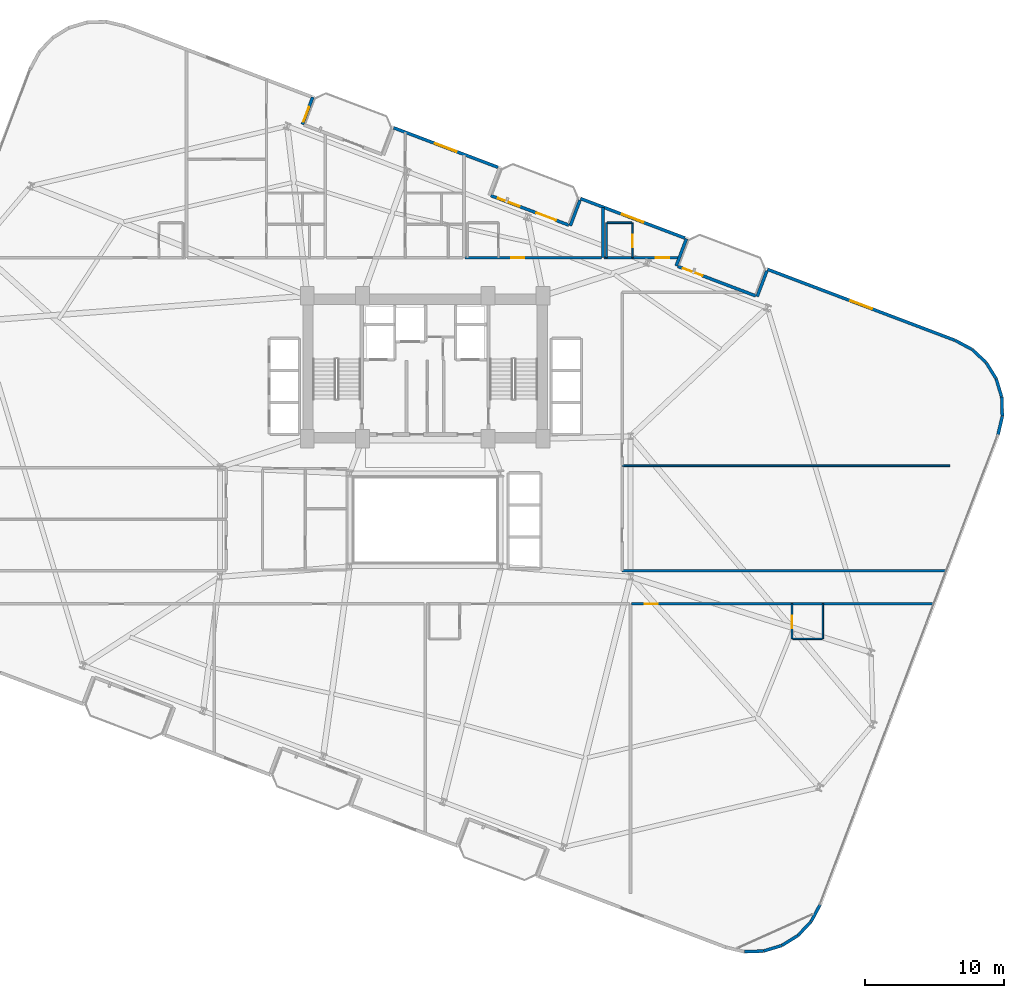
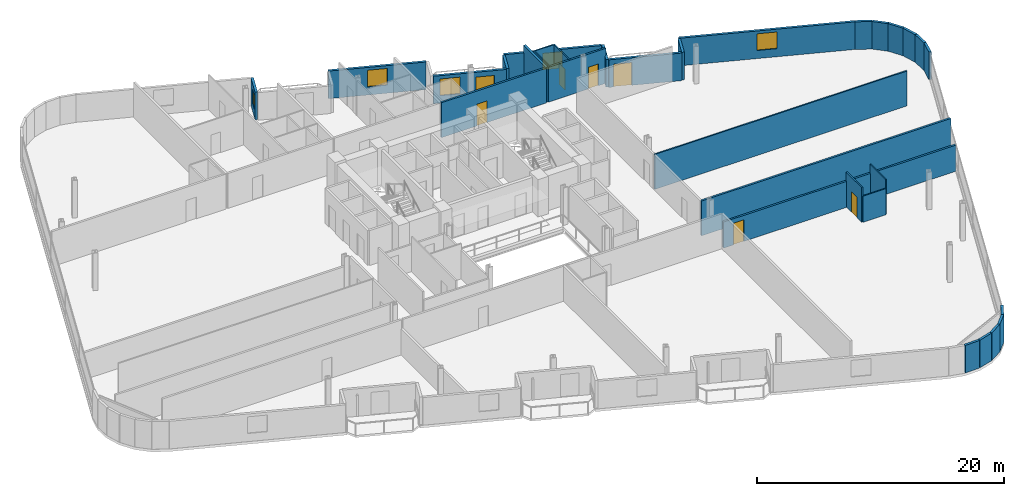
# One storey, part 21 of 25: 32 walls, 7 doors, 5 windows, 12 openings.
"""IFC4 building model written with IfcOpenShell, lengths in metres."""

from ifc_helpers import new_model, si_unit, direction, frame, frame_2d, origin, place, context, subcontext, project, spatial, rectangle, extrude, material, layer, layer_set, type_object, element, fill, save


model = new_model("IFC4")

# Units and contexts
model_context = context("Model", 3, precision=1e-05, world=origin(), true_north=direction((0.0, 1.0)))
body_context = subcontext(model_context, "Body", "Model", "MODEL_VIEW")
ifc_project = project(units=[si_unit("LENGTHUNIT", "METRE"), si_unit("AREAUNIT", "SQUARE_METRE"), si_unit("VOLUMEUNIT", "CUBIC_METRE"), si_unit("PLANEANGLEUNIT", "RADIAN"), si_unit("MASSUNIT", "GRAM", prefix="KILO")], contexts=[model_context])

# Site, building, storey
site_placement = place(None, origin())
site = spatial("IfcSite", under=ifc_project, at=site_placement, CompositionType="ELEMENT")
building_placement = place(site_placement, origin())
building = spatial("IfcBuilding", under=site, at=building_placement, Name="Varnelok Gate Tower", CompositionType="ELEMENT")
storey_placement = place(building_placement, frame((0.0, 0.0, 105.800048828125)))
storey = spatial("IfcBuildingStorey", under=building, at=storey_placement, Name="L26", CompositionType="ELEMENT", Elevation=105.800048828125)

# Wall, openings, door, window
ifc_material_1 = material(Name="Concrete C45/55", Category="concrete")
ifc_layer_1 = layer(ifc_material_1, 0.219970703125)
ifc_layer_set_1 = layer_set([ifc_layer_1], Name="Concrete C45/55")
wall_type_1 = type_object("IfcWallType", Name="EW-BALC-220", PredefinedType="SOLIDWALL", material=ifc_layer_set_1)
wall_1_placement = place(storey_placement, frame((43.932373046875, 46.273193359375, 0.0), z_axis=(0.0, 0.0, 1.0), x_axis=(0.93521416643, -0.354082565101, 0.0)))
wall_1 = element("IfcWall", 1, at=wall_1_placement, inside=storey, type_object=wall_type_1, Name="L26 North Terrace Envelope Wall 5", PredefinedType="SOLIDWALL", context=body_context, shape_type="SweptSolid", body=[
    extrude(rectangle(XDim=6.0, YDim=0.219970703125, at=frame_2d((3.0, 0.0))), origin(), (0.0, 0.0, 1.0), 2.72998046875),
])
opening_1_placement = place(wall_1_placement, frame((3.508056640625, 0.0, 0.0)))
opening_1 = element("IfcOpeningElement", 2, at=opening_1_placement, cuts=wall_1, Name="Opening BD-1", PredefinedType="OPENING", context=body_context, shape_type="SweptSolid", body=[
    extrude(rectangle(XDim=1.5, YDim=2.25, at=frame_2d((0.75, 1.125))), frame((0.0, 0.119873046875, 0.0), z_axis=(0.0, -1.0, 0.0), x_axis=(1.0, 0.0, 0.0)), (0.0, 0.0, 1.0), 0.239990234375),
])
opening_2_placement = place(wall_1_placement, frame((0.550048828125, 0.0, 0.75)))
opening_2 = element("IfcOpeningElement", 3, at=opening_2_placement, cuts=wall_1, Name="Opening WN3", PredefinedType="OPENING", context=body_context, shape_type="SweptSolid", body=[
    extrude(rectangle(XDim=1.64990234375, YDim=1.64990234375, at=frame_2d((0.824951171875, 0.824951171875))), frame((0.0, 0.119873046875, 0.0), z_axis=(0.0, -1.0, 0.0), x_axis=(1.0, 0.0, 0.0)), (0.0, 0.0, 1.0), 0.239990234375),
])
ifc_material_2 = material(Name="Anodized Aluminum Alloy 6063-T6", Category="aluminium")
door_type_1 = type_object("IfcDoorType", Name="DR-EXT-BALC1500", OperationType="NOTDEFINED", PredefinedType="DOOR", material=ifc_material_2)
door_1_placement = place(opening_1_placement, origin())
door_1 = element("IfcDoor", 4, at=door_1_placement, inside=storey, type_object=door_type_1, Name="L26 North Balcony Glazed Door 5", OperationType="SINGLE_SWING_RIGHT", OverallHeight=2.25, OverallWidth=1.5, PredefinedType="DOOR", context=body_context, shape_type="SweptSolid", body=[
    extrude(rectangle(XDim=1.5, YDim=2.25, at=frame_2d((0.75, 1.125))), frame((0.0, 0.02490234375, 0.0), z_axis=(0.0, -1.0, 0.0), x_axis=(1.0, 0.0, 0.0)), (0.0, 0.0, 1.0), 0.050048828125),
])
fill(opening_1, door_1)
ifc_material_3 = material(Name="Low-E Laminated Double Glazing IGU", Category="glass")
window_type_1 = type_object("IfcWindowType", Name="WN-HTL-1650", PartitioningType="SINGLE_PANEL", PredefinedType="WINDOW", material=ifc_material_3)
window_1_placement = place(opening_2_placement, origin())
window_1 = element("IfcWindow", 5, at=window_1_placement, inside=storey, type_object=window_type_1, Name="L26 North Vision Window 5.1", OverallHeight=1.64990234375, OverallWidth=1.64990234375, PartitioningType="SINGLE_PANEL", PredefinedType="WINDOW", context=body_context, shape_type="SweptSolid", body=[
    extrude(rectangle(XDim=1.64990234375, YDim=1.64990234375, at=frame_2d((0.824951171875, 0.824951171875))), frame((0.0, 0.030029296875, 0.0), z_axis=(0.0, -1.0, 0.0), x_axis=(1.0, 0.0, 0.0)), (0.0, 0.0, 1.0), 0.06005859375),
])
fill(opening_2, window_1)

# Wall, opening, door
wall_2_placement = place(storey_placement, frame((57.3994140625, 41.174560546875, 0.0), z_axis=(0.0, 0.0, 1.0), x_axis=(0.935227640088, -0.354046976001, 0.0)))
wall_2 = element("IfcWall", 6, at=wall_2_placement, inside=storey, type_object=wall_type_1, Name="L26 North Terrace Envelope Wall 6", PredefinedType="SOLIDWALL", context=body_context, shape_type="SweptSolid", body=[
    extrude(rectangle(XDim=6.0, YDim=0.219970703125, at=frame_2d((3.0, 0.0))), origin(), (0.0, 0.0, 1.0), 2.72998046875),
])
opening_3_placement = place(wall_2_placement, frame((0.39990234375, 0.0, 0.0)))
opening_3 = element("IfcOpeningElement", 7, at=opening_3_placement, cuts=wall_2, Name="Opening BD-1", PredefinedType="OPENING", context=body_context, shape_type="SweptSolid", body=[
    extrude(rectangle(XDim=1.5, YDim=2.25, at=frame_2d((0.75, 1.125))), frame((0.0, 0.119873046875, 0.0), z_axis=(0.0, -1.0, 0.0), x_axis=(1.0, 0.0, 0.0)), (0.0, 0.0, 1.0), 0.239990234375),
])
door_2_placement = place(opening_3_placement, origin())
door_2 = element("IfcDoor", 8, at=door_2_placement, inside=storey, type_object=door_type_1, Name="L26 North Balcony Glazed Door 6", OperationType="SINGLE_SWING_LEFT", OverallHeight=2.25, OverallWidth=1.5, PredefinedType="DOOR", context=body_context, shape_type="SweptSolid", body=[
    extrude(rectangle(XDim=1.5, YDim=2.25, at=frame_2d((0.75, 1.125))), frame((0.0, 0.02490234375, 0.0), z_axis=(0.0, -1.0, 0.0), x_axis=(1.0, 0.0, 0.0)), (0.0, 0.0, 1.0), 0.050048828125),
])
fill(opening_3, door_2)

# Walls
wall_3_placement = place(storey_placement, frame((62.2158203125, -8.209228515625, 0.0), z_axis=(0.0, 0.0, 1.0), x_axis=(0.999523971993, 0.03085173271, 0.0)))
element("IfcWall", 9, at=wall_3_placement, inside=storey, type_object=wall_type_1, Name="L26 Perimeter Facade Closure Wall 18", PredefinedType="SOLIDWALL", context=body_context, shape_type="SweptSolid", body=[
    extrude(rectangle(XDim=1.353271484375, YDim=0.219970703125, at=frame_2d((0.6767578125, 0.0))), origin(), (0.0, 0.0, 1.0), 2.72998046875),
])
for number, where, z_axis, x_axis, name in (
    (10, (63.59228515625, -8.160400390625, 0.0), (0.0, 0.0, 1.0), (0.957532798303, 0.28832436625, 0.0), "L26 Perimeter Facade Closure Wall 19"),
    (11, (64.9091796875, -7.757080078125, 0.0), (0.0, 0.0, 1.0), (0.850180541217, 0.526491260456, 0.0), "L26 Perimeter Facade Closure Wall 20"),
):
    element("IfcWall", number, at=place(storey_placement, frame(where, z_axis=z_axis, x_axis=x_axis)), inside=storey, type_object=wall_type_1, Name=name, PredefinedType="SOLIDWALL", context=body_context, shape_type="SweptSolid", body=[
        extrude(rectangle(XDim=1.35302734375, YDim=0.219970703125, at=frame_2d((0.676513671875, 0.0))), origin(), (0.0, 0.0, 1.0), 2.72998046875),
    ])
wall_4_placement = place(storey_placement, frame((66.07666015625, -7.026611328125, 0.0), z_axis=(0.0, 0.0, 1.0), x_axis=(0.685032599484, 0.7285124142, 0.0)))
element("IfcWall", 12, at=wall_4_placement, inside=storey, type_object=wall_type_1, Name="L26 Perimeter Facade Closure Wall 21", PredefinedType="SOLIDWALL", context=body_context, shape_type="SweptSolid", body=[
    extrude(rectangle(XDim=1.353271484375, YDim=0.219970703125, at=frame_2d((0.6767578125, 0.0))), origin(), (0.0, 0.0, 1.0), 2.72998046875),
])
wall_5_placement = place(storey_placement, frame((67.015380859375, -6.018798828125, 0.0), z_axis=(0.0, 0.0, 1.0), x_axis=(0.473077364598, 0.881020889142, 0.0)))
element("IfcWall", 13, at=wall_5_placement, inside=storey, type_object=wall_type_1, Name="L26 Perimeter Facade Closure Wall 22", PredefinedType="SOLIDWALL", context=body_context, shape_type="SweptSolid", body=[
    extrude(rectangle(XDim=1.35302734375, YDim=0.219970703125, at=frame_2d((0.676513671875, 0.0))), origin(), (0.0, 0.0, 1.0), 2.72998046875),
])
wall_6_placement = place(storey_placement, frame((80.47265625, 29.0283203125, 0.0), z_axis=(0.0, 0.0, 1.0), x_axis=(0.228881345311, 0.973454328548, 0.0)))
element("IfcWall", 14, at=wall_6_placement, inside=storey, type_object=wall_type_1, Name="L26 Perimeter Facade Closure Wall 23", PredefinedType="SOLIDWALL", context=body_context, shape_type="SweptSolid", body=[
    extrude(rectangle(XDim=1.378173828125, YDim=0.219970703125, at=frame_2d((0.68896484375, 0.0))), origin(), (0.0, 0.0, 1.0), 2.72998046875),
])
for number, where, z_axis, x_axis, name in (
    (15, (80.787353515625, 30.39501953125, 0.0), (0.0, 0.0, 1.0), (-0.030857297317, 0.999523800218, 0.0), "L26 Perimeter Facade Closure Wall 24"),
    (16, (80.738525390625, 31.771240234375, 0.0), (0.0, 0.0, 1.0), (-0.28832436625, 0.957532798303, 0.0), "L26 Perimeter Facade Closure Wall 25"),
    (17, (80.335205078125, 33.088134765625, 0.0), (0.0, 0.0, 1.0), (-0.526491260456, 0.850180541217, 0.0), "L26 Perimeter Facade Closure Wall 26"),
    (18, (79.6044921875, 34.255615234375, 0.0), (0.0, 0.0, 1.0), (-0.72842773461, 0.685122642634, 0.0), "L26 Perimeter Facade Closure Wall 27"),
):
    element("IfcWall", number, at=place(storey_placement, frame(where, z_axis=z_axis, x_axis=x_axis)), inside=storey, type_object=wall_type_1, Name=name, PredefinedType="SOLIDWALL", context=body_context, shape_type="SweptSolid", body=[
        extrude(rectangle(XDim=1.35302734375, YDim=0.219970703125, at=frame_2d((0.676513671875, 0.0))), origin(), (0.0, 0.0, 1.0), 2.72998046875),
    ])
wall_7_placement = place(storey_placement, frame((78.5966796875, 35.1943359375, 0.0), z_axis=(0.0, 0.0, 1.0), x_axis=(-0.880948732004, 0.473211719614, 0.0)))
element("IfcWall", 19, at=wall_7_placement, inside=storey, type_object=wall_type_1, Name="L26 Perimeter Facade Closure Wall 28", PredefinedType="SOLIDWALL", context=body_context, shape_type="SweptSolid", body=[
    extrude(rectangle(XDim=1.361083984375, YDim=0.219970703125, at=frame_2d((0.6806640625, 0.0))), origin(), (0.0, 0.0, 1.0), 2.72998046875),
])

# Wall, opening, window
wall_8_placement = place(storey_placement, frame((77.37451171875, 35.84716796875, 0.0), z_axis=(0.0, 0.0, 1.0), x_axis=(-0.935222448475, 0.354060689526, 0.0)))
wall_8 = element("IfcWall", 20, at=wall_8_placement, inside=storey, type_object=wall_type_1, Name="L26 Perimeter Facade Closure Wall 29", PredefinedType="SOLIDWALL", context=body_context, shape_type="SweptSolid", body=[
    extrude(rectangle(XDim=14.447265625, YDim=0.219970703125, at=frame_2d((7.2236328125, 0.0))), origin(), (0.0, 0.0, 1.0), 2.72998046875),
])
opening_4_placement = place(wall_8_placement, frame((6.398681640625, 0.0, 0.800048828125)))
opening_4 = element("IfcOpeningElement", 21, at=opening_4_placement, cuts=wall_8, Name="Opening WN3", PredefinedType="OPENING", context=body_context, shape_type="SweptSolid", body=[
    extrude(rectangle(XDim=1.64990234375, YDim=1.64990234375, at=frame_2d((0.824951171875, 0.824951171875))), frame((0.0, 0.119873046875, 0.0), z_axis=(0.0, -1.0, 0.0), x_axis=(1.0, 0.0, 0.0)), (0.0, 0.0, 1.0), 0.239990234375),
])
window_2_placement = place(opening_4_placement, origin())
window_2 = element("IfcWindow", 22, at=window_2_placement, inside=storey, type_object=window_type_1, Name="L26 Perimeter Vision Window 29", OverallHeight=1.64990234375, OverallWidth=1.64990234375, PartitioningType="SINGLE_PANEL", PredefinedType="WINDOW", context=body_context, shape_type="SweptSolid", body=[
    extrude(rectangle(XDim=1.64990234375, YDim=1.64990234375, at=frame_2d((0.824951171875, 0.824951171875))), frame((0.0, 0.030029296875, 0.0), z_axis=(0.0, -1.0, 0.0), x_axis=(1.0, 0.0, 0.0)), (0.0, 0.0, 1.0), 0.06005859375),
])
fill(opening_4, window_2)

# Walls
wall_9_placement = place(storey_placement, frame((63.81884765625, 40.845458984375, 0.0), z_axis=(0.0, 0.0, 1.0), x_axis=(-0.354128791944, -0.935196663123, 0.0)))
element("IfcWall", 23, at=wall_9_placement, inside=storey, type_object=wall_type_1, Name="L26 Perimeter Facade Closure Wall 30", PredefinedType="SOLIDWALL", context=body_context, shape_type="SweptSolid", body=[
    extrude(rectangle(XDim=1.97509765625, YDim=0.219970703125, at=frame_2d((0.987548828125, 0.0))), origin(), (0.0, 0.0, 1.0), 2.72998046875),
])
wall_10_placement = place(storey_placement, frame((57.28369140625, 41.207763671875, 0.0), z_axis=(0.0, 0.0, 1.0), x_axis=(0.354128469405, 0.935196785258, 0.0)))
element("IfcWall", 24, at=wall_10_placement, inside=storey, type_object=wall_type_1, Name="L26 Perimeter Facade Closure Wall 31", PredefinedType="SOLIDWALL", context=body_context, shape_type="SweptSolid", body=[
    extrude(rectangle(XDim=2.099853515625, YDim=0.219970703125, at=frame_2d((1.0498046875, 0.0))), origin(), (0.0, 0.0, 1.0), 2.72998046875),
])

# Wall, opening, window
wall_11_placement = place(storey_placement, frame((57.910400390625, 43.2158203125, 0.0), z_axis=(0.0, 0.0, 1.0), x_axis=(-0.935220736163, 0.354065212427, 0.0)))
wall_11 = element("IfcWall", 25, at=wall_11_placement, inside=storey, type_object=wall_type_1, Name="L26 Perimeter Facade Closure Wall 32", PredefinedType="SOLIDWALL", context=body_context, shape_type="SweptSolid", body=[
    extrude(rectangle(XDim=8.03515625, YDim=0.219970703125, at=frame_2d((4.017578125, 0.0))), origin(), (0.0, 0.0, 1.0), 2.72998046875),
])
opening_5_placement = place(wall_11_placement, frame((3.1923828125, 0.0, 0.800048828125)))
opening_5 = element("IfcOpeningElement", 26, at=opening_5_placement, cuts=wall_11, Name="Opening WN3", PredefinedType="OPENING", context=body_context, shape_type="SweptSolid", body=[
    extrude(rectangle(XDim=1.64990234375, YDim=1.64990234375, at=frame_2d((0.824951171875, 0.824951171875))), frame((0.0, 0.119873046875, 0.0), z_axis=(0.0, -1.0, 0.0), x_axis=(1.0, 0.0, 0.0)), (0.0, 0.0, 1.0), 0.239990234375),
])
window_3_placement = place(opening_5_placement, origin())
window_3 = element("IfcWindow", 27, at=window_3_placement, inside=storey, type_object=window_type_1, Name="L26 Perimeter Vision Window 32", OverallHeight=1.64990234375, OverallWidth=1.64990234375, PartitioningType="SINGLE_PANEL", PredefinedType="WINDOW", context=body_context, shape_type="SweptSolid", body=[
    extrude(rectangle(XDim=1.64990234375, YDim=1.64990234375, at=frame_2d((0.824951171875, 0.824951171875))), frame((0.0, 0.030029296875, 0.0), z_axis=(0.0, -1.0, 0.0), x_axis=(1.0, 0.0, 0.0)), (0.0, 0.0, 1.0), 0.06005859375),
])
fill(opening_5, window_3)

# Wall
wall_12_placement = place(storey_placement, frame((50.3515625, 45.94384765625, 0.0), z_axis=(0.0, 0.0, 1.0), x_axis=(-0.354061611705, -0.935222099352, 0.0)))
element("IfcWall", 28, at=wall_12_placement, inside=storey, type_object=wall_type_1, Name="L26 Perimeter Facade Closure Wall 33", PredefinedType="SOLIDWALL", context=body_context, shape_type="SweptSolid", body=[
    extrude(rectangle(XDim=1.974853515625, YDim=0.219970703125, at=frame_2d((0.9873046875, 0.0))), origin(), (0.0, 0.0, 1.0), 2.72998046875),
])

# Wall, opening, window
wall_13_placement = place(storey_placement, frame((44.443115234375, 48.314453125, 0.0), z_axis=(0.0, 0.0, 1.0), x_axis=(-0.935226988293, 0.354048697735, 0.0)))
wall_13 = element("IfcWall", 29, at=wall_13_placement, inside=storey, type_object=wall_type_1, Name="L26 Perimeter Facade Closure Wall 35", PredefinedType="SOLIDWALL", context=body_context, shape_type="SweptSolid", body=[
    extrude(rectangle(XDim=8.034912109375, YDim=0.219970703125, at=frame_2d((4.017578125, 0.0))), origin(), (0.0, 0.0, 1.0), 2.72998046875),
])
opening_6_placement = place(wall_13_placement, frame((3.1923828125, 0.0, 0.800048828125)))
opening_6 = element("IfcOpeningElement", 30, at=opening_6_placement, cuts=wall_13, Name="Opening WN3", PredefinedType="OPENING", context=body_context, shape_type="SweptSolid", body=[
    extrude(rectangle(XDim=1.64990234375, YDim=1.64990234375, at=frame_2d((0.824951171875, 0.824951171875))), frame((0.0, 0.119873046875, 0.0), z_axis=(0.0, -1.0, 0.0), x_axis=(1.0, 0.0, 0.0)), (0.0, 0.0, 1.0), 0.239990234375),
])
window_4_placement = place(opening_6_placement, origin())
window_4 = element("IfcWindow", 31, at=window_4_placement, inside=storey, type_object=window_type_1, Name="L26 Perimeter Vision Window 35", OverallHeight=1.64990234375, OverallWidth=1.64990234375, PartitioningType="SINGLE_PANEL", PredefinedType="WINDOW", context=body_context, shape_type="SweptSolid", body=[
    extrude(rectangle(XDim=1.64990234375, YDim=1.64990234375, at=frame_2d((0.824951171875, 0.824951171875))), frame((0.0, 0.030029296875, 0.0), z_axis=(0.0, -1.0, 0.0), x_axis=(1.0, 0.0, 0.0)), (0.0, 0.0, 1.0), 0.06005859375),
])
fill(opening_6, window_4)

wall_14_placement = place(storey_placement, frame((30.349365234375, 51.40478515625, 0.0), z_axis=(0.0, 0.0, 1.0), x_axis=(0.354128469405, 0.935196785258, 0.0)))
wall_14 = element("IfcWall", 32, at=wall_14_placement, inside=storey, type_object=wall_type_1, Name="L26 Perimeter Facade Closure Wall 37", PredefinedType="SOLIDWALL", context=body_context, shape_type="SweptSolid", body=[
    extrude(rectangle(XDim=2.099853515625, YDim=0.219970703125, at=frame_2d((1.0498046875, 0.0))), origin(), (0.0, 0.0, 1.0), 2.72998046875),
])
opening_7_placement = place(wall_14_placement, frame((0.199951171875, 0.0, 0.800048828125)))
opening_7 = element("IfcOpeningElement", 33, at=opening_7_placement, cuts=wall_14, Name="Opening WN8", PredefinedType="OPENING", context=body_context, shape_type="SweptSolid", body=[
    extrude(rectangle(XDim=1.14990234375, YDim=1.39990234375, at=frame_2d((0.574951171875, 0.699951171875))), frame((0.0, 0.119873046875, 0.0), z_axis=(0.0, -1.0, 0.0), x_axis=(1.0, 0.0, 0.0)), (0.0, 0.0, 1.0), 0.239990234375),
])
window_type_2 = type_object("IfcWindowType", Name="WN-BED-1150", PartitioningType="SINGLE_PANEL", PredefinedType="WINDOW", material=ifc_material_3)
window_5_placement = place(opening_7_placement, origin())
window_5 = element("IfcWindow", 34, at=window_5_placement, inside=storey, type_object=window_type_2, Name="L26 Bedroom Vision Window 12", OverallHeight=1.39990234375, OverallWidth=1.14990234375, PartitioningType="SINGLE_PANEL", PredefinedType="WINDOW", context=body_context, shape_type="SweptSolid", body=[
    extrude(rectangle(XDim=1.14990234375, YDim=1.39990234375, at=frame_2d((0.574951171875, 0.699951171875))), frame((0.0, 0.030029296875, 0.0), z_axis=(0.0, -1.0, 0.0), x_axis=(1.0, 0.0, 0.0)), (0.0, 0.0, 1.0), 0.06005859375),
])
fill(opening_7, window_5)

# Wall, opening, door
ifc_material_4 = material(Name="Gypsum Plasterboard Acoustic Partition", Category="gypsum")
ifc_layer_2 = layer(ifc_material_4, 0.179931640625)
ifc_layer_set_2 = layer_set([ifc_layer_2], Name="Gypsum Plasterboard Acoustic Partition")
wall_type_2 = type_object("IfcWallType", Name="PW-CORR-180", PredefinedType="PARTITIONING", material=ifc_layer_set_2)
wall_15_placement = place(storey_placement, frame((54.080078125, 16.85009765625, 0.0), z_axis=(0.0, 0.0, 1.0), x_axis=(1.0, 0.0, 0.0)))
wall_15 = element("IfcWall", 35, at=wall_15_placement, inside=storey, type_object=wall_type_2, Name="Interior Partition", PredefinedType="PARTITIONING", context=body_context, shape_type="SweptSolid", body=[
    extrude(rectangle(XDim=21.7216796875, YDim=0.179931640625, at=frame_2d((10.86083984375, 0.0))), origin(), (0.0, 0.0, 1.0), 2.579833984375),
])
opening_8_placement = place(wall_15_placement, frame((0.934326171875, 0.0, 0.0)))
opening_8 = element("IfcOpeningElement", 36, at=opening_8_placement, cuts=wall_15, Name="Opening D-HT", PredefinedType="OPENING", context=body_context, shape_type="SweptSolid", body=[
    extrude(rectangle(XDim=0.949951171875, YDim=2.14990234375, at=frame_2d((0.47509765625, 1.074951171875))), frame((0.0, 0.099853515625, 0.0), z_axis=(0.0, -1.0, 0.0), x_axis=(1.0, 0.0, 0.0)), (0.0, 0.0, 1.0), 0.199951171875),
])
ifc_material_5 = material(Name="Engineered Hardwood Timber", Category="wood")
door_type_2 = type_object("IfcDoorType", Name="DR-HTL-950", OperationType="NOTDEFINED", PredefinedType="DOOR", material=ifc_material_5)
door_3_placement = place(opening_8_placement, origin())
door_3 = element("IfcDoor", 37, at=door_3_placement, inside=storey, type_object=door_type_2, Name="L26 Guest Room 04 Entrance Door", OperationType="SINGLE_SWING_LEFT", OverallHeight=2.14990234375, OverallWidth=0.949951171875, PredefinedType="DOOR", context=body_context, shape_type="SweptSolid", body=[
    extrude(rectangle(XDim=0.949951171875, YDim=2.14990234375, at=frame_2d((0.47509765625, 1.074951171875))), frame((0.0, 0.02490234375, 0.0), z_axis=(0.0, -1.0, 0.0), x_axis=(1.0, 0.0, 0.0)), (0.0, 0.0, 1.0), 0.050048828125),
])
fill(opening_8, door_3)

wall_16_placement = place(storey_placement, frame((42.080078125, 41.800048828125, 0.0), z_axis=(0.0, 0.0, 1.0), x_axis=(1.0, 0.0, 0.0)))
wall_16 = element("IfcWall", 38, at=wall_16_placement, inside=storey, type_object=wall_type_2, Name="Interior Partition", PredefinedType="PARTITIONING", context=body_context, shape_type="SweptSolid", body=[
    extrude(rectangle(XDim=9.83984375, YDim=0.179931640625, at=frame_2d((4.919921875, 0.0))), origin(), (0.0, 0.0, 1.0), 3.449951171875),
])
opening_9_placement = place(wall_16_placement, frame((3.322998046875, 0.0, 0.0)))
opening_9 = element("IfcOpeningElement", 39, at=opening_9_placement, cuts=wall_16, Name="Opening D-HT", PredefinedType="OPENING", context=body_context, shape_type="SweptSolid", body=[
    extrude(rectangle(XDim=0.949951171875, YDim=2.14990234375, at=frame_2d((0.47509765625, 1.074951171875))), frame((0.0, 0.099853515625, 0.0), z_axis=(0.0, -1.0, 0.0), x_axis=(1.0, 0.0, 0.0)), (0.0, 0.0, 1.0), 0.199951171875),
])
door_4_placement = place(opening_9_placement, origin())
door_4 = element("IfcDoor", 40, at=door_4_placement, inside=storey, type_object=door_type_2, Name="L26 Guest Room 08 Entrance Door", OperationType="SINGLE_SWING_LEFT", OverallHeight=2.14990234375, OverallWidth=0.949951171875, PredefinedType="DOOR", context=body_context, shape_type="SweptSolid", body=[
    extrude(rectangle(XDim=0.949951171875, YDim=2.14990234375, at=frame_2d((0.47509765625, 1.074951171875))), frame((0.0, 0.02490234375, 0.0), z_axis=(0.0, -1.0, 0.0), x_axis=(1.0, 0.0, 0.0)), (0.0, 0.0, 1.0), 0.050048828125),
])
fill(opening_9, door_4)

wall_17_placement = place(storey_placement, frame((52.080078125, 41.800048828125, 0.0), z_axis=(0.0, 0.0, 1.0), x_axis=(1.0, 0.0, 0.0)))
wall_17 = element("IfcWall", 41, at=wall_17_placement, inside=storey, type_object=wall_type_2, Name="Interior Partition", PredefinedType="PARTITIONING", context=body_context, shape_type="SweptSolid", body=[
    extrude(rectangle(XDim=5.406494140625, YDim=0.179931640625, at=frame_2d((2.703125, 0.0))), origin(), (0.0, 0.0, 1.0), 3.449951171875),
])
opening_10_placement = place(wall_17_placement, frame((3.739501953125, 0.0, 0.0)))
opening_10 = element("IfcOpeningElement", 42, at=opening_10_placement, cuts=wall_17, Name="Opening D-HT", PredefinedType="OPENING", context=body_context, shape_type="SweptSolid", body=[
    extrude(rectangle(XDim=0.949951171875, YDim=2.14990234375, at=frame_2d((0.47509765625, 1.074951171875))), frame((0.0, 0.099853515625, 0.0), z_axis=(0.0, -1.0, 0.0), x_axis=(1.0, 0.0, 0.0)), (0.0, 0.0, 1.0), 0.199951171875),
])
door_5_placement = place(opening_10_placement, origin())
door_5 = element("IfcDoor", 43, at=door_5_placement, inside=storey, type_object=door_type_2, Name="L26 Guest Room 09 Entrance Door", OperationType="SINGLE_SWING_RIGHT", OverallHeight=2.14990234375, OverallWidth=0.949951171875, PredefinedType="DOOR", context=body_context, shape_type="SweptSolid", body=[
    extrude(rectangle(XDim=0.949951171875, YDim=2.14990234375, at=frame_2d((0.47509765625, 1.074951171875))), frame((0.0, 0.02490234375, 0.0), z_axis=(0.0, -1.0, 0.0), x_axis=(1.0, 0.0, 0.0)), (0.0, 0.0, 1.0), 0.050048828125),
])
fill(opening_10, door_5)

# Walls
wall_18_placement = place(storey_placement, frame((53.389892578125, 19.239990234375, 0.0), z_axis=(0.0, 0.0, 1.0), x_axis=(1.0, 0.0, 0.0)))
element("IfcWall", 44, at=wall_18_placement, inside=storey, type_object=wall_type_2, Name="Interior Partition", PredefinedType="PARTITIONING", context=body_context, shape_type="SweptSolid", body=[
    extrude(rectangle(XDim=23.316650390625, YDim=0.179931640625, at=frame_2d((11.658203125, 0.0))), origin(), (0.0, 0.0, 1.0), 3.449951171875),
])
ifc_layer_3 = layer(ifc_material_4, 0.114990234375)
ifc_layer_set_3 = layer_set([ifc_layer_3], Name="Gypsum Plasterboard Acoustic Partition")
wall_type_3 = type_object("IfcWallType", Name="PW-ENS-125", PredefinedType="PARTITIONING", material=ifc_layer_set_3)
wall_19_placement = place(storey_placement, frame((65.669921875, 14.330078125, 0.0), z_axis=(0.0, 0.0, 1.0), x_axis=(1.0, 0.0, 0.0)))
element("IfcWall", 45, at=wall_19_placement, inside=storey, type_object=wall_type_3, Name="Interior Partition", PredefinedType="PARTITIONING", context=body_context, shape_type="SweptSolid", body=[
    extrude(rectangle(XDim=2.150146484375, YDim=0.114990234375, at=frame_2d((1.0751953125, 0.0))), origin(), (0.0, 0.0, 1.0), 2.579833984375),
])

# Wall, opening, door
wall_20_placement = place(storey_placement, frame((65.6298828125, 14.330078125, 0.0), z_axis=(0.0, 0.0, 1.0), x_axis=(0.0, 1.0, 0.0)))
wall_20 = element("IfcWall", 46, at=wall_20_placement, inside=storey, type_object=wall_type_3, Name="Interior Partition", PredefinedType="PARTITIONING", context=body_context, shape_type="SweptSolid", body=[
    extrude(rectangle(XDim=2.52001953125, YDim=0.114990234375, at=frame_2d((1.260009765625, 0.0))), origin(), (0.0, 0.0, 1.0), 3.449951171875),
])
opening_11_placement = place(wall_20_placement, frame((0.760009765625, 0.0, 0.0)))
opening_11 = element("IfcOpeningElement", 47, at=opening_11_placement, cuts=wall_20, Name="Opening D-WC", PredefinedType="OPENING", context=body_context, shape_type="SweptSolid", body=[
    extrude(rectangle(XDim=0.89990234375, YDim=2.050048828125, at=frame_2d((0.449951171875, 1.02490234375))), frame((0.0, 0.0673828125, 0.0), z_axis=(0.0, -1.0, 0.0), x_axis=(1.0, 0.0, 0.0)), (0.0, 0.0, 1.0), 0.135009765625),
])
door_type_3 = type_object("IfcDoorType", Name="DR-BATH-900", OperationType="NOTDEFINED", PredefinedType="DOOR", material=ifc_material_5)
door_6_placement = place(opening_11_placement, origin())
door_6 = element("IfcDoor", 48, at=door_6_placement, inside=storey, type_object=door_type_3, Name="L26 Guest En-Suite 04 Door", OperationType="SINGLE_SWING_RIGHT", OverallHeight=2.050048828125, OverallWidth=0.89990234375, PredefinedType="DOOR", context=body_context, shape_type="SweptSolid", body=[
    extrude(rectangle(XDim=0.89990234375, YDim=2.050048828125, at=frame_2d((0.449951171875, 1.02490234375))), frame((0.0, 0.02490234375, 0.0), z_axis=(0.0, -1.0, 0.0), x_axis=(1.0, 0.0, 0.0)), (0.0, 0.0, 1.0), 0.050048828125),
])
fill(opening_11, door_6)

# Walls
wall_21_placement = place(storey_placement, frame((67.860107421875, 14.330078125, 0.0), z_axis=(0.0, 0.0, 1.0), x_axis=(0.0, 1.0, 0.0)))
element("IfcWall", 49, at=wall_21_placement, inside=storey, type_object=wall_type_3, Name="Interior Partition", PredefinedType="PARTITIONING", context=body_context, shape_type="SweptSolid", body=[
    extrude(rectangle(XDim=2.52001953125, YDim=0.114990234375, at=frame_2d((1.260009765625, 0.0))), origin(), (0.0, 0.0, 1.0), 3.449951171875),
])
wall_22_placement = place(storey_placement, frame((52.300048828125, 44.320068359375, 0.0), z_axis=(0.0, 0.0, 1.0), x_axis=(1.0, 0.0, 0.0)))
element("IfcWall", 50, at=wall_22_placement, inside=storey, type_object=wall_type_3, Name="Interior Partition", PredefinedType="PARTITIONING", context=body_context, shape_type="SweptSolid", body=[
    extrude(rectangle(XDim=1.787841796875, YDim=0.114990234375, at=frame_2d((0.89404296875, 0.0))), origin(), (0.0, 0.0, 1.0), 3.449951171875),
])

# Wall, opening, door
wall_23_placement = place(storey_placement, frame((54.1279296875, 41.800048828125, 0.0), z_axis=(0.0, 0.0, 1.0), x_axis=(0.0, 1.0, 0.0)))
wall_23 = element("IfcWall", 51, at=wall_23_placement, inside=storey, type_object=wall_type_3, Name="Interior Partition", PredefinedType="PARTITIONING", context=body_context, shape_type="SweptSolid", body=[
    extrude(rectangle(XDim=2.52001953125, YDim=0.114990234375, at=frame_2d((1.260009765625, 0.0))), origin(), (0.0, 0.0, 1.0), 3.449951171875),
])
opening_12_placement = place(wall_23_placement, frame((0.760009765625, 0.0, 0.0)))
opening_12 = element("IfcOpeningElement", 52, at=opening_12_placement, cuts=wall_23, Name="Opening D-WC", PredefinedType="OPENING", context=body_context, shape_type="SweptSolid", body=[
    extrude(rectangle(XDim=0.89990234375, YDim=2.050048828125, at=frame_2d((0.449951171875, 1.02490234375))), frame((0.0, 0.0673828125, 0.0), z_axis=(0.0, -1.0, 0.0), x_axis=(1.0, 0.0, 0.0)), (0.0, 0.0, 1.0), 0.135009765625),
])
door_7_placement = place(opening_12_placement, origin())
door_7 = element("IfcDoor", 53, at=door_7_placement, inside=storey, type_object=door_type_3, Name="L26 North En-Suite 09 Door", OperationType="SINGLE_SWING_RIGHT", OverallHeight=2.050048828125, OverallWidth=0.89990234375, PredefinedType="DOOR", context=body_context, shape_type="SweptSolid", body=[
    extrude(rectangle(XDim=0.89990234375, YDim=2.050048828125, at=frame_2d((0.449951171875, 1.02490234375))), frame((0.0, 0.02490234375, 0.0), z_axis=(0.0, -1.0, 0.0), x_axis=(1.0, 0.0, 0.0)), (0.0, 0.0, 1.0), 0.050048828125),
])
fill(opening_12, door_7)

# Walls
wall_24_placement = place(storey_placement, frame((52.260009765625, 41.800048828125, 0.0), z_axis=(0.0, 0.0, 1.0), x_axis=(0.0, 1.0, 0.0)))
element("IfcWall", 54, at=wall_24_placement, inside=storey, type_object=wall_type_3, Name="Interior Partition", PredefinedType="PARTITIONING", context=body_context, shape_type="SweptSolid", body=[
    extrude(rectangle(XDim=2.52001953125, YDim=0.114990234375, at=frame_2d((1.260009765625, 0.0))), origin(), (0.0, 0.0, 1.0), 3.449951171875),
])
ifc_layer_4 = layer(ifc_material_4, 0.125)
ifc_layer_set_4 = layer_set([ifc_layer_4], Name="Gypsum Plasterboard Acoustic Partition")
wall_type_4 = type_object("IfcWallType", Name="PW-PART-125", PredefinedType="PARTITIONING", material=ifc_layer_set_4)
wall_25_placement = place(storey_placement, frame((53.389892578125, 26.800048828125, 0.0), z_axis=(0.0, 0.0, 1.0), x_axis=(1.0, 0.0, 0.0)))
element("IfcWall", 55, at=wall_25_placement, inside=storey, type_object=wall_type_4, Name="Interior Partition", PredefinedType="PARTITIONING", context=body_context, shape_type="SweptSolid", body=[
    extrude(rectangle(XDim=23.610107421875, YDim=0.125, at=frame_2d((11.80517578125, 0.0))), origin(), (0.0, 0.0, 1.0), 3.449951171875),
])
ifc_layer_5 = layer(ifc_material_4, 0.205078125)
ifc_layer_set_5 = layer_set([ifc_layer_5], Name="Gypsum Plasterboard Acoustic Partition")
wall_type_5 = type_object("IfcWallType", Name="PW-PARTY-200", PredefinedType="PARTITIONING", material=ifc_layer_set_5)
wall_26_placement = place(storey_placement, frame((52.0, 41.800048828125, 0.0), z_axis=(0.0, 0.0, 1.0), x_axis=(0.0, 1.0, 0.0)))
element("IfcWall", 56, at=wall_26_placement, inside=storey, type_object=wall_type_5, Name="L26 North Party Wall 4", PredefinedType="PARTITIONING", context=body_context, shape_type="SweptSolid", body=[
    extrude(rectangle(XDim=3.632080078125, YDim=0.205078125, at=frame_2d((1.81591796875, 0.0))), origin(), (0.0, 0.0, 1.0), 3.449951171875),
])

save(model, "model.ifc")
